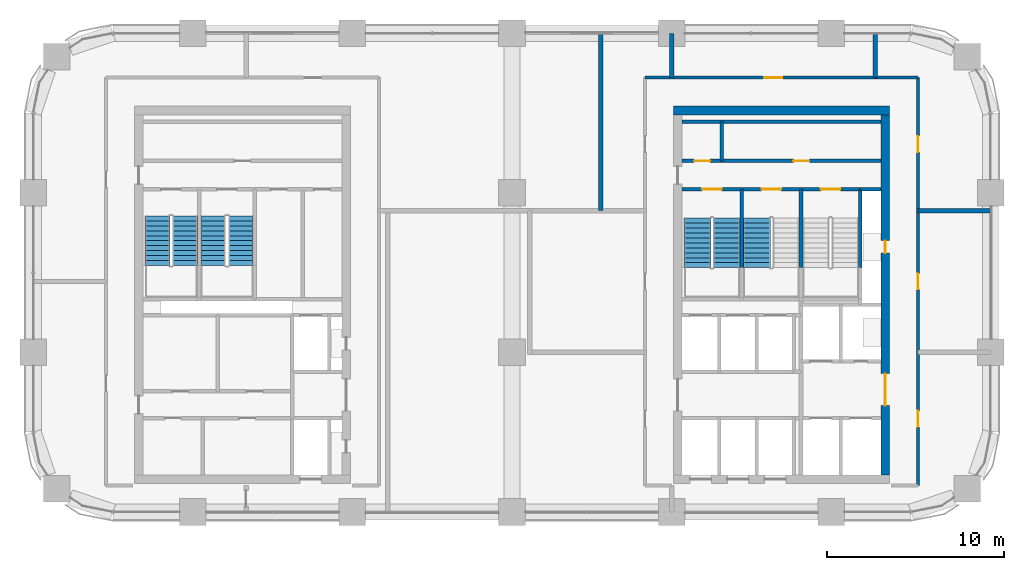
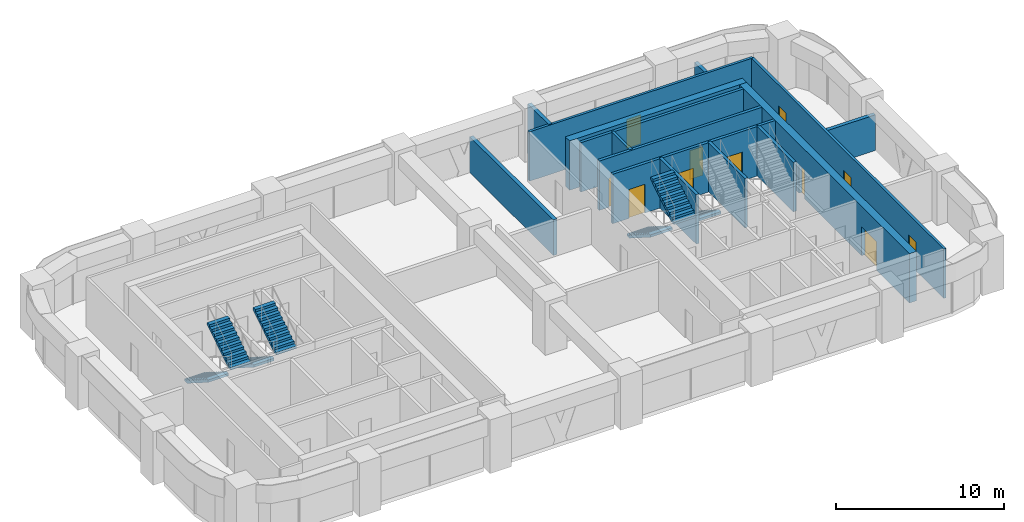
# One storey, part 11 of 14: 16 walls, 11 doors, 7 stair flights, 11 openings, 4 elements without a shape of their own.
"""IFC4 building model written with IfcOpenShell, lengths in metres."""

import ifcopenshell
import ifcopenshell.guid

model = None  # the IFC model being written
_history = None  # IfcOwnerHistory: only IFC2X3 demands one
_inside = {}  # id of a spatial element -> (the spatial element, [elements in it])
_under = {}  # id of a project, library or spatial element -> (it, [spatial elements below it])
_declared = {}  # id of a project -> (the project, [libraries it declares])
_typed = {}  # id of a type object -> (the type object, [elements of that type])
_made_of = {}  # id of a material, layer set ... -> (it, [elements and type objects made of it])


def new_model(schema):
    """Start an empty IFC model of exactly this schema.

    Asked for "IFC4X3", IfcOpenShell would pick the latest addendum, in which some entities
    have other attributes; the version numbers below select the first issue.
    IFC2X3 requires an IfcOwnerHistory on every rooted entity: one is made here for all.
    """
    global model, _history
    if schema == "IFC4X3":
        model = ifcopenshell.file(schema_version=(4, 3, 0, 0))
    else:
        model = ifcopenshell.file(schema=schema)
    _inside.clear()
    _under.clear()
    _declared.clear()
    _typed.clear()
    _made_of.clear()
    _history = None
    if model.schema == "IFC2X3":
        org = make("IfcOrganization", Name="unknown")
        user = make(
            "IfcPersonAndOrganization",
            ThePerson=make("IfcPerson", FamilyName="unknown"),
            TheOrganization=org,
        )
        app = make(
            "IfcApplication",
            ApplicationDeveloper=org,
            Version="unknown",
            ApplicationFullName="unknown",
            ApplicationIdentifier="unknown",
        )
        _history = make(
            "IfcOwnerHistory",
            OwningUser=user,
            OwningApplication=app,
            ChangeAction="ADDED",
            CreationDate=0,
        )
    return model


def make(cls, **values):
    """One entity of the class cls with the attributes given. An attribute that is None is left unset."""
    return model.create_entity(
        cls, **{name: value for name, value in values.items() if value is not None}
    )


def rooted(cls, **values):
    """An entity with a GlobalId (a new one), such as an element, a storey or a relation."""
    return make(cls, GlobalId=ifcopenshell.guid.new(), OwnerHistory=_history, **values)


def si_unit(unit_type, name, prefix=None):
    """IfcSIUnit, for example si_unit("LENGTHUNIT", "METRE", prefix="MILLI")."""
    return make("IfcSIUnit", UnitType=unit_type, Prefix=prefix, Name=name)


def assignment(units):
    """IfcUnitAssignment: the units of a project."""
    return None if units is None else make("IfcUnitAssignment", Units=units)


def point(xyz):
    """IfcCartesianPoint."""
    return None if xyz is None else make("IfcCartesianPoint", Coordinates=xyz)


def direction(xyz):
    """IfcDirection."""
    return None if xyz is None else make("IfcDirection", DirectionRatios=xyz)


def frame(location, z_axis=None, x_axis=None):
    """IfcAxis2Placement3D, a coordinate frame: its origin and axes. An axis left out is left unset."""
    return make(
        "IfcAxis2Placement3D",
        Location=point(location),
        Axis=direction(z_axis),
        RefDirection=direction(x_axis),
    )


def frame_2d(location, x_axis=None):
    """IfcAxis2Placement2D, a coordinate frame in the plane: its origin and x axis."""
    return make(
        "IfcAxis2Placement2D", Location=point(location), RefDirection=direction(x_axis)
    )


def origin():
    """The frame at (0, 0, 0) with its axes left unset."""
    return frame((0.0, 0.0, 0.0))


def place(relative_to, where):
    """IfcLocalPlacement: puts the frame where relative to a parent placement (None: the world)."""
    return make(
        "IfcLocalPlacement", PlacementRelTo=relative_to, RelativePlacement=where
    )


def context(
    kind, dimensions, precision=None, world=None, true_north=None, identifier=None
):
    """IfcGeometricRepresentationContext, for example the 3D "Model" context."""
    return make(
        "IfcGeometricRepresentationContext",
        ContextIdentifier=identifier,
        ContextType=kind,
        CoordinateSpaceDimension=dimensions,
        Precision=precision,
        WorldCoordinateSystem=world,
        TrueNorth=true_north,
    )


def subcontext(parent, identifier, kind, view, scale=None):
    """IfcGeometricRepresentationSubContext, for example "Body" below "Model"."""
    return make(
        "IfcGeometricRepresentationSubContext",
        ContextIdentifier=identifier,
        ContextType=kind,
        ParentContext=parent,
        TargetScale=scale,
        TargetView=view,
    )


def project(units=None, contexts=None):
    """IfcProject with its units and contexts."""
    return rooted(
        "IfcProject",
        Name="project",
        RepresentationContexts=contexts,
        UnitsInContext=assignment(units),
    )


def spatial(cls, under=None, at=None, **own):
    """A site, building, storey or space (cls), placed at a placement, below another one or the project."""
    s = rooted(cls, ObjectPlacement=at, **own)
    if under is not None:
        _under.setdefault(under.id(), (under, []))[1].append(s)
    return s


def polyline(points):
    """IfcPolyline through the points."""
    return make("IfcPolyline", Points=[point(p) for p in points])


def profile(cls, at=None, kind="AREA", **sizes):
    """A parametric profile (cls). Its sizes go by their IFC names, for example OverallWidth=200.0."""
    return make(cls, ProfileType=kind, Position=at, **sizes)


def rectangle(**sizes):
    """IfcRectangleProfileDef."""
    return profile("IfcRectangleProfileDef", **sizes)


def outline(outer, holes=None, kind="AREA"):
    """IfcArbitraryClosedProfileDef: a profile drawn as a closed curve; with holes, ...WithVoids."""
    if holes is None:
        return make("IfcArbitraryClosedProfileDef", ProfileType=kind, OuterCurve=outer)
    return make(
        "IfcArbitraryProfileDefWithVoids",
        ProfileType=kind,
        OuterCurve=outer,
        InnerCurves=holes,
    )


def extrude(swept, where, along, depth):
    """IfcExtrudedAreaSolid: the profile swept, set in the frame where, extruded along a direction by depth."""
    return make(
        "IfcExtrudedAreaSolid",
        SweptArea=swept,
        Position=where,
        ExtrudedDirection=direction(along),
        Depth=depth,
    )


def shape(context_of_items, identifier, shape_type, items):
    """IfcShapeRepresentation: the items that make up one representation, for example the "Body"."""
    return make(
        "IfcShapeRepresentation",
        ContextOfItems=context_of_items,
        RepresentationIdentifier=identifier,
        RepresentationType=shape_type,
        Items=items,
    )


def material(Name=None, Category=None):
    """IfcMaterial."""
    return make("IfcMaterial", Name=Name, Category=Category)


def layer(
    of_material, thickness, ventilated=None, Name=None, Category=None, Priority=None
):
    """IfcMaterialLayer: one layer of a wall or slab, of a material (None: an air gap)."""
    return make(
        "IfcMaterialLayer",
        Material=of_material,
        LayerThickness=thickness,
        IsVentilated=ventilated,
        Name=Name,
        Category=Category,
        Priority=Priority,
    )


def layer_set(layers, Name=None):
    """IfcMaterialLayerSet."""
    return make("IfcMaterialLayerSet", MaterialLayers=layers, LayerSetName=Name)


def made_of(thing, what):
    """Note that an element or type object is made of a material, layer set ...; save() writes the relation."""
    if what is not None:
        _made_of.setdefault(what.id(), (what, []))[1].append(thing)
    return thing


def type_object(cls, material=None, **own):
    """A type object (cls), such as IfcWallType, which elements share."""
    return made_of(rooted(cls, **own), material)


def element(
    cls,
    number,
    at=None,
    inside=None,
    cuts=None,
    type_object=None,
    material=None,
    context=None,
    identifier="Body",
    shape_type=None,
    held_by="IfcProductDefinitionShape",
    body=None,
    shapes=None,
    **own,
):
    """One element of the class cls, such as IfcWall. Its Tag is "e" and its number.

    at: its placement. inside: the storey or other place that contains it. cuts: it is an
    opening in that element (IfcRelVoidsElement). A single representation is given by context,
    identifier, shape_type and body (its items); several are given by shapes. held_by: the class
    of the entity that holds the representations. save() writes the other relations.
    """
    e = rooted(cls, Tag="e%d" % number, ObjectPlacement=at, **own)
    if body is not None:
        shapes = [shape(context, identifier, shape_type, body)]
    if shapes is not None:
        e.Representation = make(held_by, Representations=shapes)
    if inside is not None:
        _inside.setdefault(inside.id(), (inside, []))[1].append(e)
    if cuts is not None:
        rooted(
            "IfcRelVoidsElement", RelatingBuildingElement=cuts, RelatedOpeningElement=e
        )
    if type_object is not None:
        _typed.setdefault(type_object.id(), (type_object, []))[1].append(e)
    return made_of(e, material)


def fill(opening, filler):
    """IfcRelFillsElement: the door or window that sits in an opening."""
    return rooted(
        "IfcRelFillsElement",
        RelatingOpeningElement=opening,
        RelatedBuildingElement=filler,
    )


def aggregate(whole, parts):
    """IfcRelAggregates: a whole, such as a stair, and the parts it consists of."""
    return rooted("IfcRelAggregates", RelatingObject=whole, RelatedObjects=parts)


def save(model, path):
    """Write the relations noted so far, then the file.

    IfcRelAggregates (storeys below a building ...), IfcRelContainedInSpatialStructure (elements
    in a storey), IfcRelDefinesByType, IfcRelAssociatesMaterial and IfcRelDeclares: one each for
    every whole, place, type object, material and project.
    """
    for whole, parts in _under.values():
        aggregate(whole, parts)
    for where, things in _inside.values():
        rooted(
            "IfcRelContainedInSpatialStructure",
            RelatedElements=things,
            RelatingStructure=where,
        )
    for kind, things in _typed.values():
        rooted("IfcRelDefinesByType", RelatedObjects=things, RelatingType=kind)
    for what, things in _made_of.values():
        rooted("IfcRelAssociatesMaterial", RelatedObjects=things, RelatingMaterial=what)
    for by, libraries in _declared.values():
        rooted("IfcRelDeclares", RelatingContext=by, RelatedDefinitions=libraries)
    model.write(path)


model = new_model("IFC4")

# Units and contexts
model_context = context("Model", 3, precision=1e-05, world=origin(), true_north=direction((0.0, 1.0)))
body_context = subcontext(model_context, "Body", "Model", "MODEL_VIEW")
ifc_project = project(units=[si_unit("LENGTHUNIT", "METRE"), si_unit("AREAUNIT", "SQUARE_METRE"), si_unit("VOLUMEUNIT", "CUBIC_METRE"), si_unit("PLANEANGLEUNIT", "RADIAN"), si_unit("MASSUNIT", "GRAM", prefix="KILO")], contexts=[model_context])

# Site, building, storey
site_placement = place(None, origin())
site = spatial("IfcSite", under=ifc_project, at=site_placement, CompositionType="ELEMENT")
building_placement = place(site_placement, origin())
building = spatial("IfcBuilding", under=site, at=building_placement, Name="Tessera Arch", CompositionType="ELEMENT")
storey_placement = place(building_placement, frame((0.0, 0.0, 138.800048828125)))
storey = spatial("IfcBuildingStorey", under=building, at=storey_placement, Name="L32", CompositionType="ELEMENT", Elevation=138.800048828125)

# Wall
ifc_material_1 = material(Name="Gypsum board on steel stud", Category="steel")
ifc_layer_1 = layer(ifc_material_1, 0.125)
ifc_layer_set_1 = layer_set([ifc_layer_1], Name="Core partition 125 EI 60")
wall_type_1 = type_object("IfcWallType", Name="Core partition 125 EI 60", PredefinedType="PARTITIONING", material=ifc_layer_set_1)
wall_1_placement = place(storey_placement, frame((38.840087890625, 46.800048828125, 0.0), z_axis=(0.0, 0.0, 1.0), x_axis=(0.0, 1.0, 0.0)))
element("IfcWall", 1, at=wall_1_placement, inside=storey, type_object=wall_type_1, Name="L32 C1 partition wall 3", PredefinedType="PARTITIONING", context=body_context, shape_type="SweptSolid", body=[
    extrude(rectangle(XDim=2.199951171875, YDim=0.199951171875, at=frame_2d((1.10009765625, 0.0))), origin(), (0.0, 0.0, 1.0), 3.599853515625),
])

# Wall, openings, doors
wall_2_placement = place(storey_placement, frame((36.60009765625, 46.800048828125, 0.0), z_axis=(0.0, 0.0, 1.0), x_axis=(1.0, 0.0, 0.0)))
wall_2 = element("IfcWall", 2, at=wall_2_placement, inside=storey, type_object=wall_type_1, Name="L32 C1 partition wall 31", PredefinedType="PARTITIONING", context=body_context, shape_type="SweptSolid", body=[
    extrude(rectangle(XDim=11.199951171875, YDim=0.199951171875, at=frame_2d((5.60009765625, 0.0))), origin(), (0.0, 0.0, 1.0), 3.599853515625),
])
opening_1_placement = place(wall_2_placement, frame((0.669921875, 0.0, 0.0)))
opening_1 = element("IfcOpeningElement", 3, at=opening_1_placement, cuts=wall_2, Name="Opening L32-C18", PredefinedType="OPENING", context=body_context, shape_type="SweptSolid", body=[
    extrude(rectangle(XDim=0.89990234375, YDim=2.10009765625, at=frame_2d((0.449951171875, 1.050048828125))), frame((0.0, 0.10986328125, 0.0), z_axis=(0.0, -1.0, 0.0), x_axis=(1.0, 0.0, 0.0)), (0.0, 0.0, 1.0), 0.219970703125),
])
opening_2_placement = place(wall_2_placement, frame((6.27001953125, 0.0, 0.0)))
opening_2 = element("IfcOpeningElement", 4, at=opening_2_placement, cuts=wall_2, Name="Opening L32-C19", PredefinedType="OPENING", context=body_context, shape_type="SweptSolid", body=[
    extrude(rectangle(XDim=0.89990234375, YDim=2.10009765625, at=frame_2d((0.449951171875, 1.050048828125))), frame((0.0, 0.10986328125, 0.0), z_axis=(0.0, -1.0, 0.0), x_axis=(1.0, 0.0, 0.0)), (0.0, 0.0, 1.0), 0.219970703125),
])
ifc_material_2 = material(Name="Steel door leaf", Category="steel")
door_type_1 = type_object("IfcDoorType", Name="Store door FD30S 900 x 2100", OperationType="SINGLE_SWING_LEFT", PredefinedType="DOOR", material=ifc_material_2)
door_1_placement = place(opening_1_placement, origin())
door_1 = element("IfcDoor", 5, at=door_1_placement, inside=storey, type_object=door_type_1, Name="L32 C1 door 18 C18 type D09", OperationType="SINGLE_SWING_LEFT", OverallHeight=2.10009765625, OverallWidth=0.89990234375, PredefinedType="DOOR", context=body_context, shape_type="SweptSolid", body=[
    extrude(rectangle(XDim=0.89990234375, YDim=2.10009765625, at=frame_2d((0.449951171875, 1.050048828125))), frame((0.0, 0.02490234375, 0.0), z_axis=(0.0, -1.0, 0.0), x_axis=(1.0, 0.0, 0.0)), (0.0, 0.0, 1.0), 0.050048828125),
])
fill(opening_1, door_1)
door_2_placement = place(opening_2_placement, origin())
door_2 = element("IfcDoor", 6, at=door_2_placement, inside=storey, type_object=door_type_1, Name="L32 C1 door 19 C19 type D09", OperationType="SINGLE_SWING_RIGHT", OverallHeight=2.10009765625, OverallWidth=0.89990234375, PredefinedType="DOOR", context=body_context, shape_type="SweptSolid", body=[
    extrude(rectangle(XDim=0.89990234375, YDim=2.10009765625, at=frame_2d((0.449951171875, 1.050048828125))), frame((0.0, 0.02490234375, 0.0), z_axis=(0.0, -1.0, 0.0), x_axis=(1.0, 0.0, 0.0)), (0.0, 0.0, 1.0), 0.050048828125),
])
fill(opening_2, door_2)

# Walls
wall_3_placement = place(storey_placement, frame((36.60009765625, 49.0, 0.0), z_axis=(0.0, 0.0, 1.0), x_axis=(1.0, 0.0, 0.0)))
element("IfcWall", 7, at=wall_3_placement, inside=storey, type_object=wall_type_1, Name="L32 C1 partition wall 32", PredefinedType="PARTITIONING", context=body_context, shape_type="SweptSolid", body=[
    extrude(rectangle(XDim=11.199951171875, YDim=0.199951171875, at=frame_2d((5.60009765625, 0.0))), origin(), (0.0, 0.0, 1.0), 3.599853515625),
])
ifc_material_3 = material(Name="Concrete C60/75", Category="concrete")
ifc_layer_2 = layer(ifc_material_3, 0.5)
ifc_layer_set_2 = layer_set([ifc_layer_2], Name="Core shell wall 500 C60-75")
wall_type_2 = type_object("IfcWallType", Name="Core shell wall 500 C60-75", PredefinedType="SHEAR", material=ifc_layer_set_2)
wall_4_placement = place(storey_placement, frame((36.10009765625, 49.64990234375, 0.0), z_axis=(0.0, 0.0, 1.0), x_axis=(1.0, 0.0, 0.0)))
element("IfcWall", 8, at=wall_4_placement, inside=storey, type_object=wall_type_2, Name="L32 C1 core wall N", PredefinedType="SHEAR", context=body_context, shape_type="SweptSolid", body=[
    extrude(rectangle(XDim=12.199951171875, YDim=0.5, at=frame_2d((6.10009765625, 0.0))), origin(), (0.0, 0.0, 1.0), 3.599853515625),
])

# Wall, openings, doors
wall_5_placement = place(storey_placement, frame((48.050048828125, 29.10009765625, 0.0), z_axis=(0.0, 0.0, 1.0), x_axis=(0.0, 1.0, 0.0)))
wall_5 = element("IfcWall", 9, at=wall_5_placement, inside=storey, type_object=wall_type_2, Name="L32 C1 core wall E", PredefinedType="SHEAR", context=body_context, shape_type="SweptSolid", body=[
    extrude(rectangle(XDim=20.2998046875, YDim=0.5, at=frame_2d((10.14990234375, 0.0))), origin(), (0.0, 0.0, 1.0), 3.599853515625),
])
opening_3_placement = place(wall_5_placement, frame((12.5, 0.0, 0.0)))
opening_3 = element("IfcOpeningElement", 10, at=opening_3_placement, cuts=wall_5, Name="Opening L32-C14", PredefinedType="OPENING", context=body_context, shape_type="SweptSolid", body=[
    extrude(rectangle(XDim=0.699951171875, YDim=2.10009765625, at=frame_2d((0.35009765625, 1.050048828125))), frame((0.0, 0.260009765625, 0.0), z_axis=(0.0, -1.0, 0.0), x_axis=(1.0, 0.0, 0.0)), (0.0, 0.0, 1.0), 0.52001953125),
])
opening_4_placement = place(wall_5_placement, frame((3.89990234375, 0.0, 0.0)))
opening_4 = element("IfcOpeningElement", 11, at=opening_4_placement, cuts=wall_5, Name="Opening L32-C15", PredefinedType="OPENING", context=body_context, shape_type="SweptSolid", body=[
    extrude(rectangle(XDim=1.800048828125, YDim=2.10009765625, at=frame_2d((0.89990234375, 1.050048828125))), frame((0.0, 0.260009765625, 0.0), z_axis=(0.0, -1.0, 0.0), x_axis=(1.0, 0.0, 0.0)), (0.0, 0.0, 1.0), 0.52001953125),
])
ifc_material_4 = material(Name="Glazed steel door leaf", Category="steel")
door_type_2 = type_object("IfcDoorType", Name="Lobby double door FD60 1800 x 2100", OperationType="DOUBLE_DOOR_SINGLE_SWING", PredefinedType="DOOR", material=ifc_material_4)
door_3_placement = place(opening_4_placement, origin())
door_3 = element("IfcDoor", 12, at=door_3_placement, inside=storey, type_object=door_type_2, Name="L32 C1 door 15 C15 type D19", OperationType="DOUBLE_DOOR_SINGLE_SWING", OverallHeight=2.10009765625, OverallWidth=1.800048828125, PredefinedType="DOOR", context=body_context, shape_type="SweptSolid", body=[
    extrude(rectangle(XDim=1.800048828125, YDim=2.10009765625, at=frame_2d((0.89990234375, 1.050048828125))), frame((0.0, 0.02490234375, 0.0), z_axis=(0.0, -1.0, 0.0), x_axis=(1.0, 0.0, 0.0)), (0.0, 0.0, 1.0), 0.050048828125),
])
fill(opening_4, door_3)
ifc_material_5 = material(Name="Steel door leaf", Category="steel")
door_type_3 = type_object("IfcDoorType", Name="Service shaft door FD60 700 x 2100", OperationType="SINGLE_SWING_LEFT", PredefinedType="DOOR", material=ifc_material_5)
door_4_placement = place(opening_3_placement, origin())
door_4 = element("IfcDoor", 13, at=door_4_placement, inside=storey, type_object=door_type_3, Name="L32 C1 door 14 C14 type D07", OperationType="SINGLE_SWING_RIGHT", OverallHeight=2.10009765625, OverallWidth=0.699951171875, PredefinedType="DOOR", context=body_context, shape_type="SweptSolid", body=[
    extrude(rectangle(XDim=0.699951171875, YDim=2.10009765625, at=frame_2d((0.35009765625, 1.050048828125))), frame((0.0, 0.02490234375, 0.0), z_axis=(0.0, -1.0, 0.0), x_axis=(1.0, 0.0, 0.0)), (0.0, 0.0, 1.0), 0.050048828125),
])
fill(opening_3, door_4)

# Wall, opening, door
ifc_material_6 = material(Name="Gypsum board on deep steel stud with mineral wool", Category="steel")
ifc_layer_3 = layer(ifc_material_6, 0.175048828125)
ifc_layer_set_3 = layer_set([ifc_layer_3], Name="Corridor wall 175 EI 60")
wall_type_3 = type_object("IfcWallType", Name="Corridor wall 175 EI 60", PredefinedType="PARTITIONING", material=ifc_layer_set_3)
wall_6_placement = place(storey_placement, frame((34.5, 51.5, 0.0), z_axis=(0.0, 0.0, 1.0), x_axis=(1.0, 0.0, 0.0)))
wall_6 = element("IfcWall", 14, at=wall_6_placement, inside=storey, type_object=wall_type_3, Name="L32 partition 6", PredefinedType="PARTITIONING", context=body_context, shape_type="SweptSolid", body=[
    extrude(rectangle(XDim=15.39990234375, YDim=0.175048828125, at=frame_2d((7.699951171875, 0.0))), origin(), (0.0, 0.0, 1.0), 3.599853515625),
])
opening_5_placement = place(wall_6_placement, frame((6.739501953125, 0.0, 0.0)))
opening_5 = element("IfcOpeningElement", 15, at=opening_5_placement, cuts=wall_6, Name="Opening L32-D010", PredefinedType="OPENING", context=body_context, shape_type="SweptSolid", body=[
    extrude(rectangle(XDim=1.0, YDim=2.10009765625, at=frame_2d((0.5, 1.050048828125))), frame((0.0, 0.097412109375, 0.0), z_axis=(0.0, -1.0, 0.0), x_axis=(1.0, 0.0, 0.0)), (0.0, 0.0, 1.0), 0.195068359375),
])
ifc_material_7 = material(Name="Fire-rated door leaf")
door_type_4 = type_object("IfcDoorType", Name="Entrance door FD30S 1000 x 2100", OperationType="SINGLE_SWING_LEFT", PredefinedType="DOOR", material=ifc_material_7)
door_5_placement = place(opening_5_placement, origin())
door_5 = element("IfcDoor", 16, at=door_5_placement, inside=storey, type_object=door_type_4, Name="L32 door D010 type D03", OperationType="SINGLE_SWING_LEFT", OverallHeight=2.10009765625, OverallWidth=1.0, PredefinedType="DOOR", context=body_context, shape_type="SweptSolid", body=[
    extrude(rectangle(XDim=1.0, YDim=2.10009765625, at=frame_2d((0.5, 1.050048828125))), frame((0.0, 0.02490234375, 0.0), z_axis=(0.0, -1.0, 0.0), x_axis=(1.0, 0.0, 0.0)), (0.0, 0.0, 1.0), 0.050048828125),
])
fill(opening_5, door_5)

# Wall, openings, doors
wall_7_placement = place(storey_placement, frame((49.89990234375, 28.5, 0.0), z_axis=(0.0, 0.0, 1.0), x_axis=(0.0, 1.0, 0.0)))
wall_7 = element("IfcWall", 17, at=wall_7_placement, inside=storey, type_object=wall_type_3, Name="L32 partition 10", PredefinedType="PARTITIONING", context=body_context, shape_type="SweptSolid", body=[
    extrude(rectangle(XDim=23.0, YDim=0.175048828125, at=frame_2d((11.5, 0.0))), origin(), (0.0, 0.0, 1.0), 3.599853515625),
])
opening_6_placement = place(wall_7_placement, frame((3.300048828125, 0.0, 0.0)))
opening_6 = element("IfcOpeningElement", 18, at=opening_6_placement, cuts=wall_7, Name="Opening L32-D001", PredefinedType="OPENING", context=body_context, shape_type="SweptSolid", body=[
    extrude(rectangle(XDim=0.89990234375, YDim=2.10009765625, at=frame_2d((0.449951171875, 1.050048828125))), frame((0.0, 0.097412109375, 0.0), z_axis=(0.0, -1.0, 0.0), x_axis=(1.0, 0.0, 0.0)), (0.0, 0.0, 1.0), 0.195068359375),
])
opening_7_placement = place(wall_7_placement, frame((11.050048828125, 0.0, 0.0)))
opening_7 = element("IfcOpeningElement", 19, at=opening_7_placement, cuts=wall_7, Name="Opening L32-D005", PredefinedType="OPENING", context=body_context, shape_type="SweptSolid", body=[
    extrude(rectangle(XDim=0.89990234375, YDim=2.10009765625, at=frame_2d((0.449951171875, 1.050048828125))), frame((0.0, 0.097412109375, 0.0), z_axis=(0.0, -1.0, 0.0), x_axis=(1.0, 0.0, 0.0)), (0.0, 0.0, 1.0), 0.195068359375),
])
opening_8_placement = place(wall_7_placement, frame((18.800048828125, 0.0, 0.0)))
opening_8 = element("IfcOpeningElement", 20, at=opening_8_placement, cuts=wall_7, Name="Opening L32-D007", PredefinedType="OPENING", context=body_context, shape_type="SweptSolid", body=[
    extrude(rectangle(XDim=0.89990234375, YDim=2.10009765625, at=frame_2d((0.449951171875, 1.050048828125))), frame((0.0, 0.097412109375, 0.0), z_axis=(0.0, -1.0, 0.0), x_axis=(1.0, 0.0, 0.0)), (0.0, 0.0, 1.0), 0.195068359375),
])
ifc_material_8 = material(Name="Timber door leaf", Category="wood")
door_type_5 = type_object("IfcDoorType", Name="Room door 900 x 2100", OperationType="SINGLE_SWING_LEFT", PredefinedType="DOOR", material=ifc_material_8)
door_6_placement = place(opening_6_placement, origin())
door_6 = element("IfcDoor", 21, at=door_6_placement, inside=storey, type_object=door_type_5, Name="L32 door D001 type D01", OperationType="SINGLE_SWING_RIGHT", OverallHeight=2.10009765625, OverallWidth=0.89990234375, PredefinedType="DOOR", context=body_context, shape_type="SweptSolid", body=[
    extrude(rectangle(XDim=0.89990234375, YDim=2.10009765625, at=frame_2d((0.449951171875, 1.050048828125))), frame((0.0, 0.02490234375, 0.0), z_axis=(0.0, -1.0, 0.0), x_axis=(1.0, 0.0, 0.0)), (0.0, 0.0, 1.0), 0.050048828125),
])
fill(opening_6, door_6)
door_7_placement = place(opening_7_placement, origin())
door_7 = element("IfcDoor", 22, at=door_7_placement, inside=storey, type_object=door_type_5, Name="L32 door D005 type D01", OperationType="SINGLE_SWING_LEFT", OverallHeight=2.10009765625, OverallWidth=0.89990234375, PredefinedType="DOOR", context=body_context, shape_type="SweptSolid", body=[
    extrude(rectangle(XDim=0.89990234375, YDim=2.10009765625, at=frame_2d((0.449951171875, 1.050048828125))), frame((0.0, 0.02490234375, 0.0), z_axis=(0.0, -1.0, 0.0), x_axis=(1.0, 0.0, 0.0)), (0.0, 0.0, 1.0), 0.050048828125),
])
fill(opening_7, door_7)
door_8_placement = place(opening_8_placement, origin())
door_8 = element("IfcDoor", 23, at=door_8_placement, inside=storey, type_object=door_type_5, Name="L32 door D007 type D01", OperationType="SINGLE_SWING_LEFT", OverallHeight=2.10009765625, OverallWidth=0.89990234375, PredefinedType="DOOR", context=body_context, shape_type="SweptSolid", body=[
    extrude(rectangle(XDim=0.89990234375, YDim=2.10009765625, at=frame_2d((0.449951171875, 1.050048828125))), frame((0.0, 0.02490234375, 0.0), z_axis=(0.0, -1.0, 0.0), x_axis=(1.0, 0.0, 0.0)), (0.0, 0.0, 1.0), 0.050048828125),
])
fill(opening_8, door_8)

# Walls
ifc_material_9 = material(Name="Double gypsum board on twin steel stud with acoustic mineral wool", Category="steel")
ifc_layer_4 = layer(ifc_material_9, 0.25)
ifc_layer_set_4 = layer_set([ifc_layer_4], Name="Party wall 250 EI 60")
wall_type_4 = type_object("IfcWallType", Name="Party wall 250 EI 60", PredefinedType="PARTITIONING", material=ifc_layer_set_4)
wall_8_placement = place(storey_placement, frame((49.89990234375, 44.0, 0.0), z_axis=(0.0, 0.0, 1.0), x_axis=(1.0, 0.0, 0.0)))
element("IfcWall", 24, at=wall_8_placement, inside=storey, type_object=wall_type_4, Name="L32 partition 15", PredefinedType="PARTITIONING", context=body_context, shape_type="SweptSolid", body=[
    extrude(rectangle(XDim=4.10009765625, YDim=0.25, at=frame_2d((2.050048828125, 0.0))), origin(), (0.0, 0.0, 1.0), 2.599853515625),
])
wall_9_placement = place(storey_placement, frame((32.0, 44.0, 0.0), z_axis=(0.0, 0.0, 1.0), x_axis=(0.0, 1.0, 0.0)))
element("IfcWall", 25, at=wall_9_placement, inside=storey, type_object=wall_type_4, Name="L32 partition 20", PredefinedType="PARTITIONING", context=body_context, shape_type="SweptSolid", body=[
    extrude(rectangle(XDim=10.0, YDim=0.25, at=frame_2d((5.0, 0.0))), origin(), (0.0, 0.0, 1.0), 2.599853515625),
])
wall_10_placement = place(storey_placement, frame((36.0, 51.5, 0.0), z_axis=(0.0, 0.0, 1.0), x_axis=(0.0, 1.0, 0.0)))
element("IfcWall", 26, at=wall_10_placement, inside=storey, type_object=wall_type_4, Name="L32 partition 22", PredefinedType="PARTITIONING", context=body_context, shape_type="SweptSolid", body=[
    extrude(rectangle(XDim=2.5, YDim=0.25, at=frame_2d((1.25, 0.0))), origin(), (0.0, 0.0, 1.0), 3.599853515625),
])
wall_11_placement = place(storey_placement, frame((47.47900390625, 51.5, 0.0), z_axis=(0.0, 0.0, 1.0), x_axis=(0.0, 1.0, 0.0)))
element("IfcWall", 27, at=wall_11_placement, inside=storey, type_object=wall_type_4, Name="L32 partition 23", PredefinedType="PARTITIONING", context=body_context, shape_type="SweptSolid", body=[
    extrude(rectangle(XDim=2.5, YDim=0.25, at=frame_2d((1.25, 0.0))), origin(), (0.0, 0.0, 1.0), 2.599853515625),
])
ifc_material_10 = material(Name="Concrete C40/50", Category="concrete")
ifc_layer_5 = layer(ifc_material_10, 0.199951171875)
ifc_layer_set_5 = layer_set([ifc_layer_5], Name="Shaft wall 200 EI 120")
wall_type_5 = type_object("IfcWallType", Name="Shaft wall 200 EI 120", PredefinedType="SOLIDWALL", material=ifc_layer_set_5)
wall_12_placement = place(storey_placement, frame((46.64990234375, 45.199951171875, 0.0), z_axis=(0.0, 0.0, 1.0), x_axis=(1.0, 0.0, 0.0)))
element("IfcWall", 28, at=wall_12_placement, inside=storey, type_object=wall_type_5, Name="L32 C1 shaft wall 29", PredefinedType="SOLIDWALL", context=body_context, shape_type="SweptSolid", body=[
    extrude(rectangle(XDim=1.150146484375, YDim=0.199951171875, at=frame_2d((0.5751953125, 0.0))), origin(), (0.0, 0.0, 1.0), 3.599853515625),
])
ifc_material_11 = material(Name="Concrete C40/50", Category="concrete")
ifc_layer_6 = layer(ifc_material_11, 0.199951171875)
ifc_layer_set_6 = layer_set([ifc_layer_6], Name="Stair well wall 200 REI 180")
wall_type_6 = type_object("IfcWallType", Name="Stair well wall 200 REI 180", PredefinedType="SOLIDWALL", material=ifc_layer_set_6)
for number, where, z_axis, x_axis, name in (
    (29, (39.949951171875, 40.780029296875, 0.0), (0.0, 0.0, 1.0), (0.0, 1.0, 0.0), "L32 C1 shaft wall 5"),
    (30, (43.300048828125, 40.780029296875, 0.0), (0.0, 0.0, 1.0), (0.0, 1.0, 0.0), "L32 C1 shaft wall 12"),
    (31, (46.64990234375, 40.780029296875, 0.0), (0.0, 0.0, 1.0), (0.0, 1.0, 0.0), "L32 C1 shaft wall 17"),
):
    element("IfcWall", number, at=place(storey_placement, frame(where, z_axis=z_axis, x_axis=x_axis)), inside=storey, type_object=wall_type_6, Name=name, PredefinedType="SOLIDWALL", context=body_context, shape_type="SweptSolid", body=[
        extrude(rectangle(XDim=4.419921875, YDim=0.199951171875, at=frame_2d((2.2099609375, 0.0))), origin(), (0.0, 0.0, 1.0), 3.599853515625),
    ])

# Wall, openings, doors
wall_13_placement = place(storey_placement, frame((36.60009765625, 45.199951171875, 0.0), z_axis=(0.0, 0.0, 1.0), x_axis=(1.0, 0.0, 0.0)))
wall_13 = element("IfcWall", 32, at=wall_13_placement, inside=storey, type_object=wall_type_6, Name="L32 C1 shaft wall 30", PredefinedType="SOLIDWALL", context=body_context, shape_type="SweptSolid", body=[
    extrude(rectangle(XDim=10.0498046875, YDim=0.199951171875, at=frame_2d((5.02490234375, 0.0))), origin(), (0.0, 0.0, 1.0), 3.599853515625),
])
opening_9_placement = place(wall_13_placement, frame((1.125, 0.0, 0.0)))
opening_9 = element("IfcOpeningElement", 33, at=opening_9_placement, cuts=wall_13, Name="Opening L32-C11", PredefinedType="OPENING", context=body_context, shape_type="SweptSolid", body=[
    extrude(rectangle(XDim=1.10009765625, YDim=2.10009765625, at=frame_2d((0.550048828125, 1.050048828125))), frame((0.0, 0.10986328125, 0.0), z_axis=(0.0, -1.0, 0.0), x_axis=(1.0, 0.0, 0.0)), (0.0, 0.0, 1.0), 0.219970703125),
])
opening_10_placement = place(wall_13_placement, frame((4.47509765625, 0.0, 0.0)))
opening_10 = element("IfcOpeningElement", 34, at=opening_10_placement, cuts=wall_13, Name="Opening L32-C12", PredefinedType="OPENING", context=body_context, shape_type="SweptSolid", body=[
    extrude(rectangle(XDim=1.10009765625, YDim=2.10009765625, at=frame_2d((0.550048828125, 1.050048828125))), frame((0.0, 0.10986328125, 0.0), z_axis=(0.0, -1.0, 0.0), x_axis=(1.0, 0.0, 0.0)), (0.0, 0.0, 1.0), 0.219970703125),
])
opening_11_placement = place(wall_13_placement, frame((7.824951171875, 0.0, 0.0)))
opening_11 = element("IfcOpeningElement", 35, at=opening_11_placement, cuts=wall_13, Name="Opening L32-C13", PredefinedType="OPENING", context=body_context, shape_type="SweptSolid", body=[
    extrude(rectangle(XDim=1.10009765625, YDim=2.10009765625, at=frame_2d((0.550048828125, 1.050048828125))), frame((0.0, 0.10986328125, 0.0), z_axis=(0.0, -1.0, 0.0), x_axis=(1.0, 0.0, 0.0)), (0.0, 0.0, 1.0), 0.219970703125),
])
ifc_material_12 = material(Name="Steel door leaf", Category="steel")
door_type_6 = type_object("IfcDoorType", Name="Stair door FD60 1100 x 2100", OperationType="SINGLE_SWING_LEFT", PredefinedType="DOOR", material=ifc_material_12)
door_9_placement = place(opening_9_placement, origin())
door_9 = element("IfcDoor", 36, at=door_9_placement, inside=storey, type_object=door_type_6, Name="L32 C1 door 11 C11 type D05", OperationType="SINGLE_SWING_LEFT", OverallHeight=2.10009765625, OverallWidth=1.10009765625, PredefinedType="DOOR", context=body_context, shape_type="SweptSolid", body=[
    extrude(rectangle(XDim=1.10009765625, YDim=2.10009765625, at=frame_2d((0.550048828125, 1.050048828125))), frame((0.0, 0.02490234375, 0.0), z_axis=(0.0, -1.0, 0.0), x_axis=(1.0, 0.0, 0.0)), (0.0, 0.0, 1.0), 0.050048828125),
])
fill(opening_9, door_9)
door_10_placement = place(opening_10_placement, origin())
door_10 = element("IfcDoor", 37, at=door_10_placement, inside=storey, type_object=door_type_6, Name="L32 C1 door 12 C12 type D05", OperationType="SINGLE_SWING_RIGHT", OverallHeight=2.10009765625, OverallWidth=1.10009765625, PredefinedType="DOOR", context=body_context, shape_type="SweptSolid", body=[
    extrude(rectangle(XDim=1.10009765625, YDim=2.10009765625, at=frame_2d((0.550048828125, 1.050048828125))), frame((0.0, 0.02490234375, 0.0), z_axis=(0.0, -1.0, 0.0), x_axis=(1.0, 0.0, 0.0)), (0.0, 0.0, 1.0), 0.050048828125),
])
fill(opening_10, door_10)
door_11_placement = place(opening_11_placement, origin())
door_11 = element("IfcDoor", 38, at=door_11_placement, inside=storey, type_object=door_type_6, Name="L32 C1 door 13 C13 type D05", OperationType="SINGLE_SWING_RIGHT", OverallHeight=2.10009765625, OverallWidth=1.10009765625, PredefinedType="DOOR", context=body_context, shape_type="SweptSolid", body=[
    extrude(rectangle(XDim=1.10009765625, YDim=2.10009765625, at=frame_2d((0.550048828125, 1.050048828125))), frame((0.0, 0.02490234375, 0.0), z_axis=(0.0, -1.0, 0.0), x_axis=(1.0, 0.0, 0.0)), (0.0, 0.0, 1.0), 0.050048828125),
])
fill(opening_11, door_11)

# Stair, stair flights
ifc_material_13 = material(Name="Concrete C40/50", Category="concrete")
stair_type_1 = type_object("IfcStairType", Name="Dogleg stair 1400", PredefinedType="HALF_TURN_STAIR", material=ifc_material_13)
stair_1_placement = place(storey_placement, origin())
stair_1 = element("IfcStair", 39, at=stair_1_placement, inside=storey, type_object=stair_type_1, Name="L32 S2a", PredefinedType="HALF_TURN_STAIR")
ifc_material_14 = material(Name="Concrete C40/50", Category="concrete")
stair_flight_type_1 = type_object("IfcStairFlightType", Name="Stair flight 1400", PredefinedType="STRAIGHT", material=ifc_material_14)
stair_flight_1_placement = place(storey_placement, frame((7.0, 43.699951171875, 0.0), z_axis=(0.0, 0.0, 1.0), x_axis=(0.0, -1.0, 0.0)))
stair_flight_1 = element("IfcStairFlight", 40, at=stair_flight_1_placement, type_object=stair_flight_type_1, Name="S2a flight 1", NumberOfRisers=11, NumberOfTreads=10, PredefinedType="STRAIGHT", RiserHeight=0.177272727, TreadLength=0.28, context=body_context, shape_type="SweptSolid", body=[
    extrude(outline(polyline([(0.0, 0.0), (0.0, 0.17724609375), (0.280029296875, 0.17724609375), (0.280029296875, 0.3544921875), (0.56005859375, 0.3544921875), (0.56005859375, 0.53173828125), (0.840087890625, 0.53173828125), (0.840087890625, 0.708984375), (1.1201171875, 0.708984375), (1.1201171875, 0.886474609375), (1.39990234375, 0.886474609375), (1.39990234375, 1.063720703125), (1.679931640625, 1.063720703125), (1.679931640625, 1.240966796875), (1.9599609375, 1.240966796875), (1.9599609375, 1.418212890625), (2.239990234375, 1.418212890625), (2.239990234375, 1.595458984375), (2.52001953125, 1.595458984375), (2.52001953125, 1.772705078125), (2.800048828125, 1.772705078125), (2.800048828125, 1.949951171875), (2.800048828125, 1.59521484375), (0.2802734375, 0.0), (0.0, 0.0)])), frame((0.0, 0.699951171875, 0.0), z_axis=(0.0, -1.0, 0.0), x_axis=(1.0, 0.0, 0.0)), (0.0, 0.0, 1.0), 1.39990234375),
])
stair_flight_2_placement = place(storey_placement, frame((8.550048828125, 40.89990234375, 1.949951171875), z_axis=(0.0, 0.0, 1.0), x_axis=(0.0, 1.0, 0.0)))
stair_flight_2 = element("IfcStairFlight", 41, at=stair_flight_2_placement, type_object=stair_flight_type_1, Name="S2a flight 2", NumberOfRisers=11, NumberOfTreads=10, PredefinedType="STRAIGHT", RiserHeight=0.177272727, TreadLength=0.28, context=body_context, shape_type="SweptSolid", body=[
    extrude(outline(polyline([(0.0, 0.0), (0.0, 0.17724609375), (0.280029296875, 0.17724609375), (0.280029296875, 0.3544921875), (0.56005859375, 0.3544921875), (0.56005859375, 0.53173828125), (0.840087890625, 0.53173828125), (0.840087890625, 0.708984375), (1.1201171875, 0.708984375), (1.1201171875, 0.886474609375), (1.39990234375, 0.886474609375), (1.39990234375, 1.063720703125), (1.679931640625, 1.063720703125), (1.679931640625, 1.240966796875), (1.9599609375, 1.240966796875), (1.9599609375, 1.418212890625), (2.239990234375, 1.418212890625), (2.239990234375, 1.595458984375), (2.52001953125, 1.595458984375), (2.52001953125, 1.772705078125), (2.800048828125, 1.772705078125), (2.800048828125, 1.949951171875), (2.800048828125, 1.59521484375), (0.2802734375, 0.0), (0.0, 0.0)])), frame((0.0, 0.699951171875, 0.0), z_axis=(0.0, -1.0, 0.0), x_axis=(1.0, 0.0, 0.0)), (0.0, 0.0, 1.0), 1.39990234375),
])
aggregate(stair_1, [stair_flight_1, stair_flight_2])

stair_2_placement = place(storey_placement, origin())
stair_2 = element("IfcStair", 42, at=stair_2_placement, inside=storey, type_object=stair_type_1, Name="L32 S2b", PredefinedType="HALF_TURN_STAIR")
stair_flight_3_placement = place(storey_placement, frame((10.14990234375, 43.699951171875, 0.0), z_axis=(0.0, 0.0, 1.0), x_axis=(0.0, -1.0, 0.0)))
stair_flight_3 = element("IfcStairFlight", 43, at=stair_flight_3_placement, type_object=stair_flight_type_1, Name="S2b flight 1", NumberOfRisers=11, NumberOfTreads=10, PredefinedType="STRAIGHT", RiserHeight=0.177272727, TreadLength=0.28, context=body_context, shape_type="SweptSolid", body=[
    extrude(outline(polyline([(0.0, 0.0), (0.0, 0.17724609375), (0.280029296875, 0.17724609375), (0.280029296875, 0.3544921875), (0.56005859375, 0.3544921875), (0.56005859375, 0.53173828125), (0.840087890625, 0.53173828125), (0.840087890625, 0.708984375), (1.1201171875, 0.708984375), (1.1201171875, 0.886474609375), (1.39990234375, 0.886474609375), (1.39990234375, 1.063720703125), (1.679931640625, 1.063720703125), (1.679931640625, 1.240966796875), (1.9599609375, 1.240966796875), (1.9599609375, 1.418212890625), (2.239990234375, 1.418212890625), (2.239990234375, 1.595458984375), (2.52001953125, 1.595458984375), (2.52001953125, 1.772705078125), (2.800048828125, 1.772705078125), (2.800048828125, 1.949951171875), (2.800048828125, 1.59521484375), (0.2802734375, 0.0), (0.0, 0.0)])), frame((0.0, 0.699951171875, 0.0), z_axis=(0.0, -1.0, 0.0), x_axis=(1.0, 0.0, 0.0)), (0.0, 0.0, 1.0), 1.39990234375),
])
stair_flight_4_placement = place(storey_placement, frame((11.699951171875, 40.89990234375, 1.949951171875), z_axis=(0.0, 0.0, 1.0), x_axis=(0.0, 1.0, 0.0)))
stair_flight_4 = element("IfcStairFlight", 44, at=stair_flight_4_placement, type_object=stair_flight_type_1, Name="S2b flight 2", NumberOfRisers=11, NumberOfTreads=10, PredefinedType="STRAIGHT", RiserHeight=0.177272727, TreadLength=0.28, context=body_context, shape_type="SweptSolid", body=[
    extrude(outline(polyline([(0.0, 0.0), (0.0, 0.17724609375), (0.280029296875, 0.17724609375), (0.280029296875, 0.3544921875), (0.56005859375, 0.3544921875), (0.56005859375, 0.53173828125), (0.840087890625, 0.53173828125), (0.840087890625, 0.708984375), (1.1201171875, 0.708984375), (1.1201171875, 0.886474609375), (1.39990234375, 0.886474609375), (1.39990234375, 1.063720703125), (1.679931640625, 1.063720703125), (1.679931640625, 1.240966796875), (1.9599609375, 1.240966796875), (1.9599609375, 1.418212890625), (2.239990234375, 1.418212890625), (2.239990234375, 1.595458984375), (2.52001953125, 1.595458984375), (2.52001953125, 1.772705078125), (2.800048828125, 1.772705078125), (2.800048828125, 1.949951171875), (2.800048828125, 1.59521484375), (0.2802734375, 0.0), (0.0, 0.0)])), frame((0.0, 0.699951171875, 0.0), z_axis=(0.0, -1.0, 0.0), x_axis=(1.0, 0.0, 0.0)), (0.0, 0.0, 1.0), 1.39990234375),
])
aggregate(stair_2, [stair_flight_3, stair_flight_4])

ifc_material_15 = material(Name="Concrete C40/50", Category="concrete")
stair_type_2 = type_object("IfcStairType", Name="Dogleg stair 1520", PredefinedType="HALF_TURN_STAIR", material=ifc_material_15)
stair_3_placement = place(storey_placement, origin())
stair_3 = element("IfcStair", 45, at=stair_3_placement, inside=storey, type_object=stair_type_2, Name="L32 S1a", PredefinedType="HALF_TURN_STAIR")
ifc_material_16 = material(Name="Concrete C40/50", Category="concrete")
stair_flight_type_2 = type_object("IfcStairFlightType", Name="Stair flight 1520", PredefinedType="STRAIGHT", material=ifc_material_16)
stair_flight_5_placement = place(storey_placement, frame((37.4599609375, 43.580078125, 0.0), z_axis=(0.0, 0.0, 1.0), x_axis=(0.0, -1.0, 0.0)))
stair_flight_5 = element("IfcStairFlight", 46, at=stair_flight_5_placement, type_object=stair_flight_type_2, Name="S1a flight 1", NumberOfRisers=11, NumberOfTreads=10, PredefinedType="STRAIGHT", RiserHeight=0.177272727, TreadLength=0.28, context=body_context, shape_type="SweptSolid", body=[
    extrude(outline(polyline([(0.0, 0.0), (0.0, 0.17724609375), (0.280029296875, 0.17724609375), (0.280029296875, 0.3544921875), (0.56005859375, 0.3544921875), (0.56005859375, 0.53173828125), (0.840087890625, 0.53173828125), (0.840087890625, 0.708984375), (1.1201171875, 0.708984375), (1.1201171875, 0.886474609375), (1.39990234375, 0.886474609375), (1.39990234375, 1.063720703125), (1.679931640625, 1.063720703125), (1.679931640625, 1.240966796875), (1.9599609375, 1.240966796875), (1.9599609375, 1.418212890625), (2.239990234375, 1.418212890625), (2.239990234375, 1.595458984375), (2.52001953125, 1.595458984375), (2.52001953125, 1.772705078125), (2.800048828125, 1.772705078125), (2.800048828125, 1.949951171875), (2.800048828125, 1.59521484375), (0.2802734375, 0.0), (0.0, 0.0)])), frame((0.0, 0.760009765625, 0.0), z_axis=(0.0, -1.0, 0.0), x_axis=(1.0, 0.0, 0.0)), (0.0, 0.0, 1.0), 1.52001953125),
])
stair_flight_6_placement = place(storey_placement, frame((39.090087890625, 40.780029296875, 1.949951171875), z_axis=(0.0, 0.0, 1.0), x_axis=(0.0, 1.0, 0.0)))
stair_flight_6 = element("IfcStairFlight", 47, at=stair_flight_6_placement, type_object=stair_flight_type_2, Name="S1a flight 2", NumberOfRisers=11, NumberOfTreads=10, PredefinedType="STRAIGHT", RiserHeight=0.177272727, TreadLength=0.28, context=body_context, shape_type="SweptSolid", body=[
    extrude(outline(polyline([(0.0, 0.0), (0.0, 0.17724609375), (0.280029296875, 0.17724609375), (0.280029296875, 0.3544921875), (0.56005859375, 0.3544921875), (0.56005859375, 0.53173828125), (0.840087890625, 0.53173828125), (0.840087890625, 0.708984375), (1.1201171875, 0.708984375), (1.1201171875, 0.886474609375), (1.39990234375, 0.886474609375), (1.39990234375, 1.063720703125), (1.679931640625, 1.063720703125), (1.679931640625, 1.240966796875), (1.9599609375, 1.240966796875), (1.9599609375, 1.418212890625), (2.239990234375, 1.418212890625), (2.239990234375, 1.595458984375), (2.52001953125, 1.595458984375), (2.52001953125, 1.772705078125), (2.800048828125, 1.772705078125), (2.800048828125, 1.949951171875), (2.800048828125, 1.59521484375), (0.2802734375, 0.0), (0.0, 0.0)])), frame((0.0, 0.760009765625, 0.0), z_axis=(0.0, -1.0, 0.0), x_axis=(1.0, 0.0, 0.0)), (0.0, 0.0, 1.0), 1.52001953125),
])
aggregate(stair_3, [stair_flight_5, stair_flight_6])

# Stair, stair flight
stair_4_placement = place(storey_placement, origin())
stair_4 = element("IfcStair", 48, at=stair_4_placement, inside=storey, type_object=stair_type_2, Name="L32 S1b", PredefinedType="HALF_TURN_STAIR")
stair_flight_7_placement = place(storey_placement, frame((40.81005859375, 43.580078125, 0.0), z_axis=(0.0, 0.0, 1.0), x_axis=(0.0, -1.0, 0.0)))
stair_flight_7 = element("IfcStairFlight", 49, at=stair_flight_7_placement, type_object=stair_flight_type_2, Name="S1b flight 1", NumberOfRisers=11, NumberOfTreads=10, PredefinedType="STRAIGHT", RiserHeight=0.177272727, TreadLength=0.28, context=body_context, shape_type="SweptSolid", body=[
    extrude(outline(polyline([(0.0, 0.0), (0.0, 0.17724609375), (0.280029296875, 0.17724609375), (0.280029296875, 0.3544921875), (0.56005859375, 0.3544921875), (0.56005859375, 0.53173828125), (0.840087890625, 0.53173828125), (0.840087890625, 0.708984375), (1.1201171875, 0.708984375), (1.1201171875, 0.886474609375), (1.39990234375, 0.886474609375), (1.39990234375, 1.063720703125), (1.679931640625, 1.063720703125), (1.679931640625, 1.240966796875), (1.9599609375, 1.240966796875), (1.9599609375, 1.418212890625), (2.239990234375, 1.418212890625), (2.239990234375, 1.595458984375), (2.52001953125, 1.595458984375), (2.52001953125, 1.772705078125), (2.800048828125, 1.772705078125), (2.800048828125, 1.949951171875), (2.800048828125, 1.59521484375), (0.2802734375, 0.0), (0.0, 0.0)])), frame((0.0, 0.760009765625, 0.0), z_axis=(0.0, -1.0, 0.0), x_axis=(1.0, 0.0, 0.0)), (0.0, 0.0, 1.0), 1.52001953125),
])
aggregate(stair_4, [stair_flight_7])

save(model, "model.ifc")
